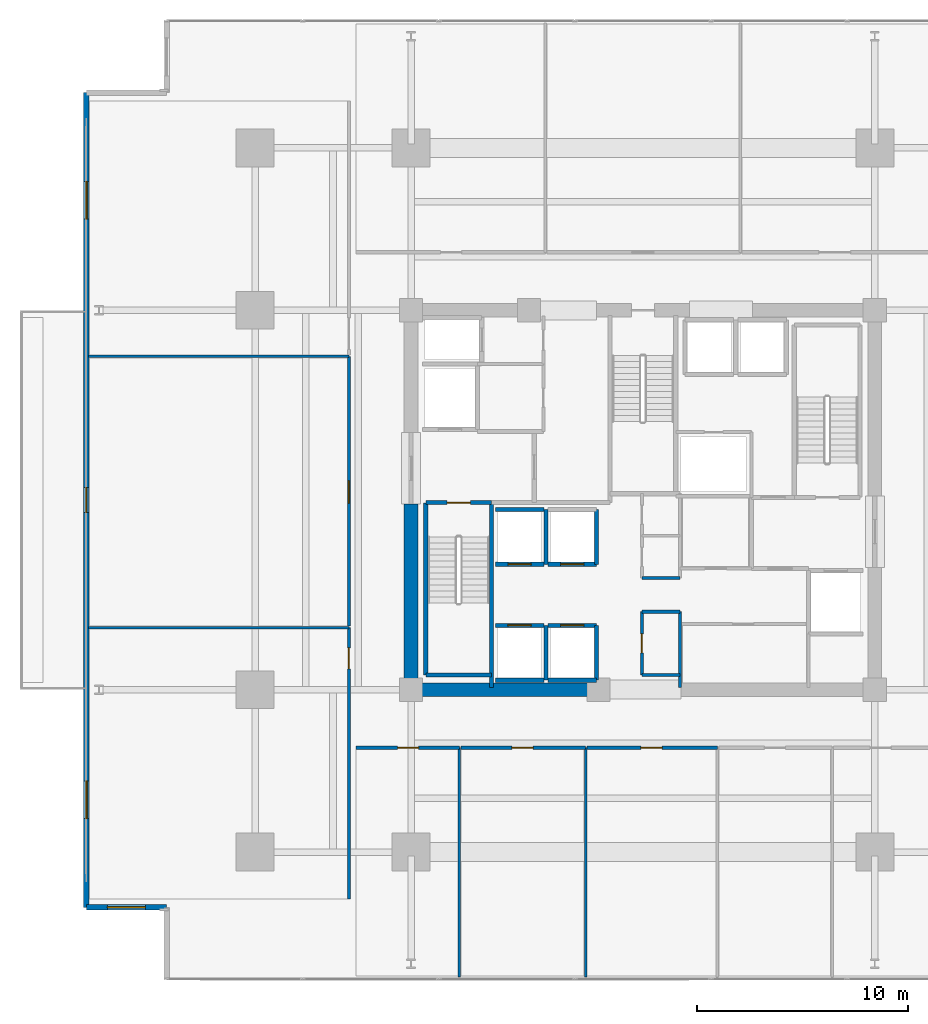
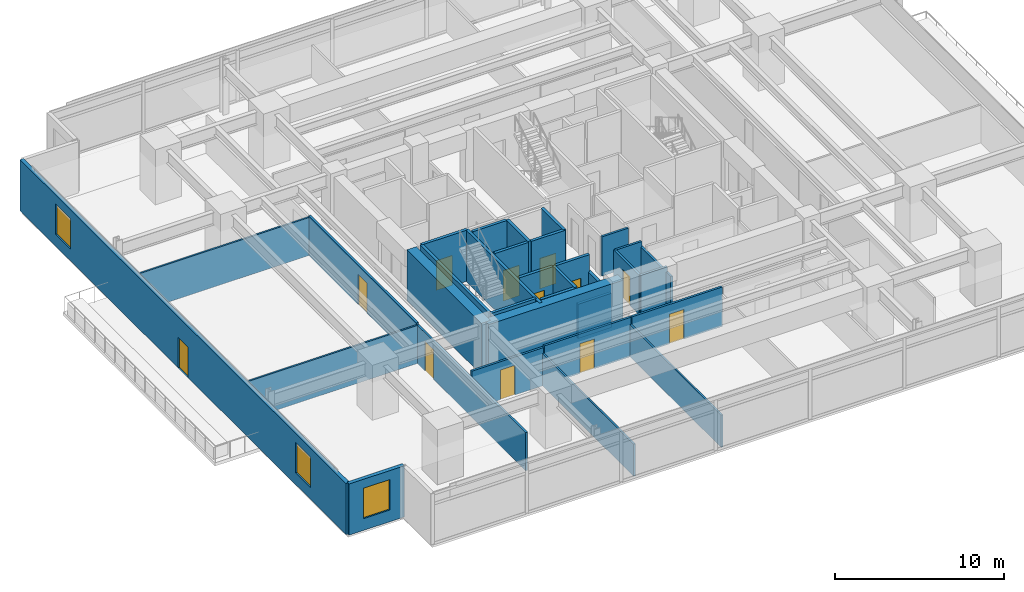
# One storey, part 16 of 23: 33 walls, 12 doors, 3 windows, 15 openings.
"""IFC4 building model written with IfcOpenShell, lengths in metres."""

from ifc_helpers import new_model, si_unit, direction, frame, frame_2d, origin, place, context, subcontext, project, spatial, rectangle, extrude, material, layer, layer_set, type_object, element, fill, save


model = new_model("IFC4")

# Units and contexts
model_context = context("Model", 3, precision=1e-05, world=origin(), true_north=direction((0.0, 1.0)))
body_context = subcontext(model_context, "Body", "Model", "MODEL_VIEW")
ifc_project = project(units=[si_unit("LENGTHUNIT", "METRE"), si_unit("AREAUNIT", "SQUARE_METRE"), si_unit("VOLUMEUNIT", "CUBIC_METRE"), si_unit("PLANEANGLEUNIT", "RADIAN"), si_unit("MASSUNIT", "GRAM", prefix="KILO")], contexts=[model_context])

# Site, building, storey
site_placement = place(None, origin())
site = spatial("IfcSite", under=ifc_project, at=site_placement, CompositionType="ELEMENT")
building_placement = place(site_placement, origin())
building = spatial("IfcBuilding", under=site, at=building_placement, Name="Kovane Verandah Tower", CompositionType="ELEMENT")
storey_placement = place(building_placement, frame((0.0, 0.0, 103.60009765625)))
storey = spatial("IfcBuildingStorey", under=building, at=storey_placement, Name="L24", CompositionType="ELEMENT", Elevation=103.60009765625)

# Walls
ifc_material_1 = material(Name="Fire-Rated Gypsum Stud Partition", Category="gypsum")
ifc_layer_1 = layer(ifc_material_1, 0.14990234375)
ifc_layer_set_1 = layer_set([ifc_layer_1], Name="Fire-Rated Gypsum Stud Partition")
wall_type_1 = type_object("IfcWallType", Name="WL-COR-150", PredefinedType="PARTITIONING", material=ifc_layer_set_1)
for number, where, z_axis, x_axis, name in (
    (1, (39.949951171875, 19.199951171875, 0.0), (0.0, 0.0, 1.0), (1.0, 0.0, 0.0), "L24 Central Core Strip South Wall"),
    (2, (39.949951171875, 22.199951171875, 0.0), (0.0, 0.0, 1.0), (1.0, 0.0, 0.0), "L24 Core Cross-Passage South Wall"),
    (3, (39.949951171875, 23.800048828125, 0.0), (0.0, 0.0, 1.0), (1.0, 0.0, 0.0), "L24 Core Cross-Passage North Wall"),
):
    element("IfcWall", number, at=place(storey_placement, frame(where, z_axis=z_axis, x_axis=x_axis)), inside=storey, type_object=wall_type_1, Name=name, PredefinedType="PARTITIONING", context=body_context, shape_type="SweptSolid", body=[
        extrude(rectangle(XDim=1.81005859375, YDim=0.14990234375, at=frame_2d((0.905029296875, 0.0))), origin(), (0.0, 0.0, 1.0), 2.849853515625),
    ])
wall_1_placement = place(storey_placement, frame((41.760009765625, 18.60009765625, 0.0), z_axis=(0.0, 0.0, 1.0), x_axis=(0.0, 1.0, 0.0)))
element("IfcWall", 4, at=wall_1_placement, inside=storey, type_object=wall_type_1, Name="L24 Central Core Strip Lower East Wall", PredefinedType="PARTITIONING", context=body_context, shape_type="SweptSolid", body=[
    extrude(rectangle(XDim=3.599853515625, YDim=0.14990234375, at=frame_2d((1.7998046875, 0.0))), origin(), (0.0, 0.0, 1.0), 2.47998046875),
])

# Wall, opening, door
wall_2_placement = place(storey_placement, frame((39.949951171875, 19.199951171875, 0.0), z_axis=(0.0, 0.0, 1.0), x_axis=(0.0, 1.0, 0.0)))
wall_2 = element("IfcWall", 5, at=wall_2_placement, inside=storey, type_object=wall_type_1, Name="L24 Male Toilet Partition", PredefinedType="PARTITIONING", context=body_context, shape_type="SweptSolid", body=[
    extrude(rectangle(XDim=3.0, YDim=0.14990234375, at=frame_2d((1.5, 0.0))), origin(), (0.0, 0.0, 1.0), 2.849853515625),
])
opening_1_placement = place(wall_2_placement, frame((1.050048828125, 0.0, 0.0)))
opening_1 = element("IfcOpeningElement", 6, at=opening_1_placement, cuts=wall_2, Name="Opening DR-L24-028", PredefinedType="OPENING", context=body_context, shape_type="SweptSolid", body=[
    extrude(rectangle(XDim=0.89990234375, YDim=2.10009765625, at=frame_2d((0.449951171875, 1.050048828125))), frame((0.0, 0.074951171875, 0.0), z_axis=(0.0, -1.0, 0.0), x_axis=(1.0, 0.0, 0.0)), (0.0, 0.0, 1.0), 0.14990234375),
])
ifc_material_2 = material(Name="Moisture-Resistant Laminate Washroom Door", Category="wood")
door_type_1 = type_object("IfcDoorType", Name="DR-WC-900", OperationType="SINGLE_SWING_LEFT", PredefinedType="DOOR", material=ifc_material_2)
door_1_placement = place(opening_1_placement, origin())
door_1 = element("IfcDoor", 7, at=door_1_placement, inside=storey, type_object=door_type_1, Name="L24 Male Toilet Door", OperationType="SINGLE_SWING_LEFT", OverallHeight=2.10009765625, OverallWidth=0.89990234375, PredefinedType="DOOR", context=body_context, shape_type="SweptSolid", body=[
    extrude(rectangle(XDim=0.89990234375, YDim=2.10009765625, at=frame_2d((0.449951171875, 1.050048828125))), frame((0.0, 0.02490234375, 0.0), z_axis=(0.0, -1.0, 0.0), x_axis=(1.0, 0.0, 0.0)), (0.0, 0.0, 1.0), 0.050048828125),
])
fill(opening_1, door_1)

wall_3_placement = place(storey_placement, frame((26.39990234375, 15.75, 0.0), z_axis=(0.0, 0.0, 1.0), x_axis=(1.0, 0.0, 0.0)))
wall_3 = element("IfcWall", 8, at=wall_3_placement, inside=storey, type_object=wall_type_1, Name="L24 Meeting Room S1 Corridor Partition", PredefinedType="PARTITIONING", context=body_context, shape_type="SweptSolid", body=[
    extrude(rectangle(XDim=4.89599609375, YDim=0.14990234375, at=frame_2d((2.447998046875, 0.0))), origin(), (0.0, 0.0, 1.0), 2.75341796875),
])
opening_2_placement = place(wall_3_placement, frame((1.962890625, 0.0, 0.0)))
opening_2 = element("IfcOpeningElement", 9, at=opening_2_placement, cuts=wall_3, Name="Opening DR-L24-020", PredefinedType="OPENING", context=body_context, shape_type="SweptSolid", body=[
    extrude(rectangle(XDim=1.0, YDim=2.14990234375, at=frame_2d((0.5, 1.074951171875))), frame((0.0, 0.074951171875, 0.0), z_axis=(0.0, -1.0, 0.0), x_axis=(1.0, 0.0, 0.0)), (0.0, 0.0, 1.0), 0.14990234375),
])
ifc_material_3 = material(Name="FSC Spotted-Gum Timber Fire-Rated Office Door", Category="wood")
door_type_2 = type_object("IfcDoorType", Name="DR-OFF-1000", OperationType="SINGLE_SWING_LEFT", PredefinedType="DOOR", material=ifc_material_3)
door_2_placement = place(opening_2_placement, origin())
door_2 = element("IfcDoor", 10, at=door_2_placement, inside=storey, type_object=door_type_2, Name="L24 Meeting Room S1 Entrance Door", OperationType="SINGLE_SWING_RIGHT", OverallHeight=2.14990234375, OverallWidth=1.0, PredefinedType="DOOR", context=body_context, shape_type="SweptSolid", body=[
    extrude(rectangle(XDim=1.0, YDim=2.14990234375, at=frame_2d((0.5, 1.074951171875))), frame((0.0, 0.02490234375, 0.0), z_axis=(0.0, -1.0, 0.0), x_axis=(1.0, 0.0, 0.0)), (0.0, 0.0, 1.0), 0.050048828125),
])
fill(opening_2, door_2)

wall_4_placement = place(storey_placement, frame((31.365966796875, 15.75, 0.0), z_axis=(0.0, 0.0, 1.0), x_axis=(1.0, 0.0, 0.0)))
wall_4 = element("IfcWall", 11, at=wall_4_placement, inside=storey, type_object=wall_type_1, Name="L24 Focus Studio S2 Corridor Partition", PredefinedType="PARTITIONING", context=body_context, shape_type="SweptSolid", body=[
    extrude(rectangle(XDim=5.9140625, YDim=0.14990234375, at=frame_2d((2.95703125, 0.0))), origin(), (0.0, 0.0, 1.0), 2.849853515625),
])
opening_3_placement = place(wall_4_placement, frame((2.422119140625, 0.0, 0.0)))
opening_3 = element("IfcOpeningElement", 12, at=opening_3_placement, cuts=wall_4, Name="Opening DR-L24-021", PredefinedType="OPENING", context=body_context, shape_type="SweptSolid", body=[
    extrude(rectangle(XDim=1.0, YDim=2.14990234375, at=frame_2d((0.5, 1.074951171875))), frame((0.0, 0.074951171875, 0.0), z_axis=(0.0, -1.0, 0.0), x_axis=(1.0, 0.0, 0.0)), (0.0, 0.0, 1.0), 0.14990234375),
])
door_3_placement = place(opening_3_placement, origin())
door_3 = element("IfcDoor", 13, at=door_3_placement, inside=storey, type_object=door_type_2, Name="L24 Focus Studio S2 Entrance Door", OperationType="SINGLE_SWING_LEFT", OverallHeight=2.14990234375, OverallWidth=1.0, PredefinedType="DOOR", context=body_context, shape_type="SweptSolid", body=[
    extrude(rectangle(XDim=1.0, YDim=2.14990234375, at=frame_2d((0.5, 1.074951171875))), frame((0.0, 0.02490234375, 0.0), z_axis=(0.0, -1.0, 0.0), x_axis=(1.0, 0.0, 0.0)), (0.0, 0.0, 1.0), 0.050048828125),
])
fill(opening_3, door_3)

wall_5_placement = place(storey_placement, frame((37.35009765625, 15.75, 0.0), z_axis=(0.0, 0.0, 1.0), x_axis=(1.0, 0.0, 0.0)))
wall_5 = element("IfcWall", 14, at=wall_5_placement, inside=storey, type_object=wall_type_1, Name="L24 Breakout Pantry S3 Corridor Partition", PredefinedType="PARTITIONING", context=body_context, shape_type="SweptSolid", body=[
    extrude(rectangle(XDim=6.185791015625, YDim=0.14990234375, at=frame_2d((3.0927734375, 0.0))), origin(), (0.0, 0.0, 1.0), 2.849853515625),
])
opening_4_placement = place(wall_5_placement, frame((2.55810546875, 0.0, 0.0)))
opening_4 = element("IfcOpeningElement", 15, at=opening_4_placement, cuts=wall_5, Name="Opening DR-L24-022", PredefinedType="OPENING", context=body_context, shape_type="SweptSolid", body=[
    extrude(rectangle(XDim=1.0, YDim=2.14990234375, at=frame_2d((0.5, 1.074951171875))), frame((0.0, 0.074951171875, 0.0), z_axis=(0.0, -1.0, 0.0), x_axis=(1.0, 0.0, 0.0)), (0.0, 0.0, 1.0), 0.14990234375),
])
door_4_placement = place(opening_4_placement, origin())
door_4 = element("IfcDoor", 16, at=door_4_placement, inside=storey, type_object=door_type_2, Name="L24 Breakout Pantry S3 Entrance Door", OperationType="SINGLE_SWING_RIGHT", OverallHeight=2.14990234375, OverallWidth=1.0, PredefinedType="DOOR", context=body_context, shape_type="SweptSolid", body=[
    extrude(rectangle(XDim=1.0, YDim=2.14990234375, at=frame_2d((0.5, 1.074951171875))), frame((0.0, 0.02490234375, 0.0), z_axis=(0.0, -1.0, 0.0), x_axis=(1.0, 0.0, 0.0)), (0.0, 0.0, 1.0), 0.050048828125),
])
fill(opening_4, door_4)

wall_6_placement = place(storey_placement, frame((26.050048828125, 8.5810546875, 0.0), z_axis=(0.0, 0.0, 1.0), x_axis=(0.0, 1.0, 0.0)))
wall_6 = element("IfcWall", 17, at=wall_6_placement, inside=storey, type_object=wall_type_1, Name="L24 Open Plan Office W1 Corridor Partition", PredefinedType="PARTITIONING", context=body_context, shape_type="SweptSolid", body=[
    extrude(rectangle(XDim=12.86474609375, YDim=0.14990234375, at=frame_2d((6.432373046875, 0.0))), origin(), (0.0, 0.0, 1.0), 2.75341796875),
])
opening_5_placement = place(wall_6_placement, frame((10.906982421875, 0.0, 0.0)))
opening_5 = element("IfcOpeningElement", 18, at=opening_5_placement, cuts=wall_6, Name="Opening DR-L24-029", PredefinedType="OPENING", context=body_context, shape_type="SweptSolid", body=[
    extrude(rectangle(XDim=1.0, YDim=2.14990234375, at=frame_2d((0.5, 1.074951171875))), frame((0.0, 0.074951171875, 0.0), z_axis=(0.0, -1.0, 0.0), x_axis=(1.0, 0.0, 0.0)), (0.0, 0.0, 1.0), 0.14990234375),
])
door_5_placement = place(opening_5_placement, origin())
door_5 = element("IfcDoor", 19, at=door_5_placement, inside=storey, type_object=door_type_2, Name="L24 Open Plan Office W1 Entrance Door", OperationType="SINGLE_SWING_LEFT", OverallHeight=2.14990234375, OverallWidth=1.0, PredefinedType="DOOR", context=body_context, shape_type="SweptSolid", body=[
    extrude(rectangle(XDim=1.0, YDim=2.14990234375, at=frame_2d((0.5, 1.074951171875))), frame((0.0, 0.02490234375, 0.0), z_axis=(0.0, -1.0, 0.0), x_axis=(1.0, 0.0, 0.0)), (0.0, 0.0, 1.0), 0.050048828125),
])
fill(opening_5, door_5)

wall_7_placement = place(storey_placement, frame((26.050048828125, 21.515869140625, 0.0), z_axis=(0.0, 0.0, 1.0), x_axis=(0.0, 1.0, 0.0)))
wall_7 = element("IfcWall", 20, at=wall_7_placement, inside=storey, type_object=wall_type_1, Name="L24 Executive Office W2 Corridor Partition", PredefinedType="PARTITIONING", context=body_context, shape_type="SweptSolid", body=[
    extrude(rectangle(XDim=12.794921875, YDim=0.14990234375, at=frame_2d((6.3974609375, 0.0))), origin(), (0.0, 0.0, 1.0), 2.849853515625),
])
opening_6_placement = place(wall_7_placement, frame((5.83740234375, 0.0, 0.0)))
opening_6 = element("IfcOpeningElement", 21, at=opening_6_placement, cuts=wall_7, Name="Opening DR-L24-030", PredefinedType="OPENING", context=body_context, shape_type="SweptSolid", body=[
    extrude(rectangle(XDim=1.050048828125, YDim=2.199951171875, at=frame_2d((0.52490234375, 1.10009765625))), frame((0.0, 0.074951171875, 0.0), z_axis=(0.0, -1.0, 0.0), x_axis=(1.0, 0.0, 0.0)), (0.0, 0.0, 1.0), 0.14990234375),
])
ifc_material_4 = material(Name="FSC Blackbutt Timber Fire-Rated Executive Door", Category="wood")
door_type_3 = type_object("IfcDoorType", Name="DR-EXEC-1050", OperationType="SINGLE_SWING_LEFT", PredefinedType="DOOR", material=ifc_material_4)
door_6_placement = place(opening_6_placement, origin())
door_6 = element("IfcDoor", 22, at=door_6_placement, inside=storey, type_object=door_type_3, Name="L24 Executive Office W2 Entrance Door", OperationType="SINGLE_SWING_RIGHT", OverallHeight=2.199951171875, OverallWidth=1.050048828125, PredefinedType="DOOR", context=body_context, shape_type="SweptSolid", body=[
    extrude(rectangle(XDim=1.050048828125, YDim=2.199951171875, at=frame_2d((0.52490234375, 1.10009765625))), frame((0.0, 0.02490234375, 0.0), z_axis=(0.0, -1.0, 0.0), x_axis=(1.0, 0.0, 0.0)), (0.0, 0.0, 1.0), 0.050048828125),
])
fill(opening_6, door_6)

# Walls
ifc_material_5 = material(Name="Concrete C80/95", Category="concrete")
ifc_layer_2 = layer(ifc_material_5, 0.64990234375)
ifc_layer_set_2 = layer_set([ifc_layer_2], Name="Concrete C80/95")
wall_type_2 = type_object("IfcWallType", Name="WL-CORE-650", PredefinedType="SHEAR", material=ifc_layer_set_2)
wall_8_placement = place(storey_placement, frame((29.0, 18.5, 0.0), z_axis=(0.0, 0.0, 1.0), x_axis=(1.0, 0.0, 0.0)))
element("IfcWall", 23, at=wall_8_placement, inside=storey, type_object=wall_type_2, Name="L24 Core Shear Wall CS-1", PredefinedType="SHEAR", context=body_context, shape_type="SweptSolid", body=[
    extrude(rectangle(XDim=9.199951171875, YDim=0.64990234375, at=frame_2d((4.60009765625, 0.0))), origin(), (0.0, 0.0, 1.0), 3.699951171875),
])
wall_9_placement = place(storey_placement, frame((29.0, 18.5, 0.0), z_axis=(0.0, 0.0, 1.0), x_axis=(0.0, 1.0, 0.0)))
element("IfcWall", 24, at=wall_9_placement, inside=storey, type_object=wall_type_2, Name="L24 Core Shear Wall CW-1", PredefinedType="SHEAR", context=body_context, shape_type="SweptSolid", body=[
    extrude(rectangle(XDim=8.800048828125, YDim=0.64990234375, at=frame_2d((4.39990234375, 0.0))), origin(), (0.0, 0.0, 1.0), 3.699951171875),
])
ifc_material_6 = material(Name="Concrete C45/55 Lift Shaft Wall", Category="concrete")
ifc_layer_3 = layer(ifc_material_6, 0.199951171875)
ifc_layer_set_3 = layer_set([ifc_layer_3], Name="Concrete C45/55 Lift Shaft Wall")
wall_type_3 = type_object("IfcWallType", Name="WL-LIFT-200", PredefinedType="SOLIDWALL", material=ifc_layer_set_3)
wall_10_placement = place(storey_placement, frame((33.0, 18.949951171875, 0.0), z_axis=(0.0, 0.0, 1.0), x_axis=(1.0, 0.0, 0.0)))
element("IfcWall", 25, at=wall_10_placement, inside=storey, type_object=wall_type_3, Name="L24 Lift PL-L1 S Shaft Wall", PredefinedType="SOLIDWALL", context=body_context, shape_type="SweptSolid", body=[
    extrude(rectangle(XDim=2.300048828125, YDim=0.199951171875, at=frame_2d((1.14990234375, 0.0))), origin(), (0.0, 0.0, 1.0), 3.699951171875),
])

# Wall, opening, door
wall_11_placement = place(storey_placement, frame((35.300048828125, 21.550048828125, 0.0), z_axis=(0.0, 0.0, 1.0), x_axis=(-1.0, 0.0, 0.0)))
wall_11 = element("IfcWall", 26, at=wall_11_placement, inside=storey, type_object=wall_type_3, Name="L24 Lift PL-L1 N Shaft Wall", PredefinedType="SOLIDWALL", context=body_context, shape_type="SweptSolid", body=[
    extrude(rectangle(XDim=2.300048828125, YDim=0.199951171875, at=frame_2d((1.14990234375, 0.0))), origin(), (0.0, 0.0, 1.0), 3.699951171875),
])
opening_7_placement = place(wall_11_placement, frame((0.60009765625, 0.0, 0.0)))
opening_7 = element("IfcOpeningElement", 27, at=opening_7_placement, cuts=wall_11, Name="Opening LD-L24-004", PredefinedType="OPENING", context=body_context, shape_type="SweptSolid", body=[
    extrude(rectangle(XDim=1.10009765625, YDim=2.199951171875, at=frame_2d((0.550048828125, 1.10009765625))), frame((0.0, 0.10009765625, 0.0), z_axis=(0.0, -1.0, 0.0), x_axis=(1.0, 0.0, 0.0)), (0.0, 0.0, 1.0), 0.199951171875),
])
ifc_material_7 = material(Name="Brushed Stainless Steel Sliding Lift Landing Door", Category="steel")
door_type_4 = type_object("IfcDoorType", Name="DR-LIFT-1100", OperationType="SLIDING_TO_RIGHT", PredefinedType="DOOR", material=ifc_material_7)
door_7_placement = place(opening_7_placement, origin())
door_7 = element("IfcDoor", 28, at=door_7_placement, inside=storey, type_object=door_type_4, Name="L24 Lift PL-L1 Sliding Landing Door", OperationType="SLIDING_TO_RIGHT", OverallHeight=2.199951171875, OverallWidth=1.10009765625, PredefinedType="DOOR", context=body_context, shape_type="SweptSolid", body=[
    extrude(rectangle(XDim=1.10009765625, YDim=2.199951171875, at=frame_2d((0.550048828125, 1.10009765625))), frame((0.0, 0.02490234375, 0.0), z_axis=(0.0, -1.0, 0.0), x_axis=(1.0, 0.0, 0.0)), (0.0, 0.0, 1.0), 0.050048828125),
])
fill(opening_7, door_7)

# Walls
wall_12_placement = place(storey_placement, frame((35.39990234375, 18.949951171875, 0.0), z_axis=(0.0, 0.0, 1.0), x_axis=(0.0, 1.0, 0.0)))
element("IfcWall", 29, at=wall_12_placement, inside=storey, type_object=wall_type_3, Name="L24 Lift PL-L1 and PL-L2 Shared Shaft Wall", PredefinedType="SOLIDWALL", context=body_context, shape_type="SweptSolid", body=[
    extrude(rectangle(XDim=2.60009765625, YDim=0.199951171875, at=frame_2d((1.300048828125, 0.0))), origin(), (0.0, 0.0, 1.0), 3.699951171875),
])
wall_13_placement = place(storey_placement, frame((35.5, 18.949951171875, 0.0), z_axis=(0.0, 0.0, 1.0), x_axis=(1.0, 0.0, 0.0)))
element("IfcWall", 30, at=wall_13_placement, inside=storey, type_object=wall_type_3, Name="L24 Lift PL-L2 S Shaft Wall", PredefinedType="SOLIDWALL", context=body_context, shape_type="SweptSolid", body=[
    extrude(rectangle(XDim=2.300048828125, YDim=0.199951171875, at=frame_2d((1.14990234375, 0.0))), origin(), (0.0, 0.0, 1.0), 2.47998046875),
])

# Wall, opening, door
wall_14_placement = place(storey_placement, frame((37.800048828125, 21.550048828125, 0.0), z_axis=(0.0, 0.0, 1.0), x_axis=(-1.0, 0.0, 0.0)))
wall_14 = element("IfcWall", 31, at=wall_14_placement, inside=storey, type_object=wall_type_3, Name="L24 Lift PL-L2 N Shaft Wall", PredefinedType="SOLIDWALL", context=body_context, shape_type="SweptSolid", body=[
    extrude(rectangle(XDim=2.300048828125, YDim=0.199951171875, at=frame_2d((1.14990234375, 0.0))), origin(), (0.0, 0.0, 1.0), 3.699951171875),
])
opening_8_placement = place(wall_14_placement, frame((0.60009765625, 0.0, 0.0)))
opening_8 = element("IfcOpeningElement", 32, at=opening_8_placement, cuts=wall_14, Name="Opening LD-L24-005", PredefinedType="OPENING", context=body_context, shape_type="SweptSolid", body=[
    extrude(rectangle(XDim=1.10009765625, YDim=2.199951171875, at=frame_2d((0.550048828125, 1.10009765625))), frame((0.0, 0.10009765625, 0.0), z_axis=(0.0, -1.0, 0.0), x_axis=(1.0, 0.0, 0.0)), (0.0, 0.0, 1.0), 0.199951171875),
])
door_8_placement = place(opening_8_placement, origin())
door_8 = element("IfcDoor", 33, at=door_8_placement, inside=storey, type_object=door_type_4, Name="L24 Lift PL-L2 Sliding Landing Door", OperationType="SLIDING_TO_RIGHT", OverallHeight=2.199951171875, OverallWidth=1.10009765625, PredefinedType="DOOR", context=body_context, shape_type="SweptSolid", body=[
    extrude(rectangle(XDim=1.10009765625, YDim=2.199951171875, at=frame_2d((0.550048828125, 1.10009765625))), frame((0.0, 0.02490234375, 0.0), z_axis=(0.0, -1.0, 0.0), x_axis=(1.0, 0.0, 0.0)), (0.0, 0.0, 1.0), 0.050048828125),
])
fill(opening_8, door_8)

# Wall
wall_15_placement = place(storey_placement, frame((37.800048828125, 18.949951171875, 0.0), z_axis=(0.0, 0.0, 1.0), x_axis=(0.0, 1.0, 0.0)))
element("IfcWall", 34, at=wall_15_placement, inside=storey, type_object=wall_type_3, Name="L24 Lift PL-L2 E Shaft Wall", PredefinedType="SOLIDWALL", context=body_context, shape_type="SweptSolid", body=[
    extrude(rectangle(XDim=2.60009765625, YDim=0.199951171875, at=frame_2d((1.300048828125, 0.0))), origin(), (0.0, 0.0, 1.0), 2.47998046875),
])

# Wall, opening, door
wall_16_placement = place(storey_placement, frame((33.0, 24.449951171875, 0.0), z_axis=(0.0, 0.0, 1.0), x_axis=(1.0, 0.0, 0.0)))
wall_16 = element("IfcWall", 35, at=wall_16_placement, inside=storey, type_object=wall_type_3, Name="L24 Lift PL-L3 S Shaft Wall", PredefinedType="SOLIDWALL", context=body_context, shape_type="SweptSolid", body=[
    extrude(rectangle(XDim=2.300048828125, YDim=0.199951171875, at=frame_2d((1.14990234375, 0.0))), origin(), (0.0, 0.0, 1.0), 3.699951171875),
])
opening_9_placement = place(wall_16_placement, frame((0.60009765625, 0.0, 0.0)))
opening_9 = element("IfcOpeningElement", 36, at=opening_9_placement, cuts=wall_16, Name="Opening LD-L24-006", PredefinedType="OPENING", context=body_context, shape_type="SweptSolid", body=[
    extrude(rectangle(XDim=1.10009765625, YDim=2.199951171875, at=frame_2d((0.550048828125, 1.10009765625))), frame((0.0, 0.10009765625, 0.0), z_axis=(0.0, -1.0, 0.0), x_axis=(1.0, 0.0, 0.0)), (0.0, 0.0, 1.0), 0.199951171875),
])
door_9_placement = place(opening_9_placement, origin())
door_9 = element("IfcDoor", 37, at=door_9_placement, inside=storey, type_object=door_type_4, Name="L24 Lift PL-L3 Sliding Landing Door", OperationType="SLIDING_TO_RIGHT", OverallHeight=2.199951171875, OverallWidth=1.10009765625, PredefinedType="DOOR", context=body_context, shape_type="SweptSolid", body=[
    extrude(rectangle(XDim=1.10009765625, YDim=2.199951171875, at=frame_2d((0.550048828125, 1.10009765625))), frame((0.0, 0.02490234375, 0.0), z_axis=(0.0, -1.0, 0.0), x_axis=(1.0, 0.0, 0.0)), (0.0, 0.0, 1.0), 0.050048828125),
])
fill(opening_9, door_9)

# Walls
wall_17_placement = place(storey_placement, frame((35.300048828125, 27.050048828125, 0.0), z_axis=(0.0, 0.0, 1.0), x_axis=(-1.0, 0.0, 0.0)))
element("IfcWall", 38, at=wall_17_placement, inside=storey, type_object=wall_type_3, Name="L24 Lift PL-L3 N Shaft Wall", PredefinedType="SOLIDWALL", context=body_context, shape_type="SweptSolid", body=[
    extrude(rectangle(XDim=2.300048828125, YDim=0.199951171875, at=frame_2d((1.14990234375, 0.0))), origin(), (0.0, 0.0, 1.0), 3.699951171875),
])
wall_18_placement = place(storey_placement, frame((35.39990234375, 24.449951171875, 0.0), z_axis=(0.0, 0.0, 1.0), x_axis=(0.0, 1.0, 0.0)))
element("IfcWall", 39, at=wall_18_placement, inside=storey, type_object=wall_type_3, Name="L24 Lift PL-L3 and PL-L4 Shared Shaft Wall", PredefinedType="SOLIDWALL", context=body_context, shape_type="SweptSolid", body=[
    extrude(rectangle(XDim=2.60009765625, YDim=0.199951171875, at=frame_2d((1.300048828125, 0.0))), origin(), (0.0, 0.0, 1.0), 3.699951171875),
])

# Wall, opening, door
wall_19_placement = place(storey_placement, frame((35.5, 24.449951171875, 0.0), z_axis=(0.0, 0.0, 1.0), x_axis=(1.0, 0.0, 0.0)))
wall_19 = element("IfcWall", 40, at=wall_19_placement, inside=storey, type_object=wall_type_3, Name="L24 Lift PL-L4 S Shaft Wall", PredefinedType="SOLIDWALL", context=body_context, shape_type="SweptSolid", body=[
    extrude(rectangle(XDim=2.300048828125, YDim=0.199951171875, at=frame_2d((1.14990234375, 0.0))), origin(), (0.0, 0.0, 1.0), 3.699951171875),
])
opening_10_placement = place(wall_19_placement, frame((0.60009765625, 0.0, 0.0)))
opening_10 = element("IfcOpeningElement", 41, at=opening_10_placement, cuts=wall_19, Name="Opening LD-L24-007", PredefinedType="OPENING", context=body_context, shape_type="SweptSolid", body=[
    extrude(rectangle(XDim=1.10009765625, YDim=2.199951171875, at=frame_2d((0.550048828125, 1.10009765625))), frame((0.0, 0.10009765625, 0.0), z_axis=(0.0, -1.0, 0.0), x_axis=(1.0, 0.0, 0.0)), (0.0, 0.0, 1.0), 0.199951171875),
])
door_10_placement = place(opening_10_placement, origin())
door_10 = element("IfcDoor", 42, at=door_10_placement, inside=storey, type_object=door_type_4, Name="L24 Lift PL-L4 Sliding Landing Door", OperationType="SLIDING_TO_RIGHT", OverallHeight=2.199951171875, OverallWidth=1.10009765625, PredefinedType="DOOR", context=body_context, shape_type="SweptSolid", body=[
    extrude(rectangle(XDim=1.10009765625, YDim=2.199951171875, at=frame_2d((0.550048828125, 1.10009765625))), frame((0.0, 0.02490234375, 0.0), z_axis=(0.0, -1.0, 0.0), x_axis=(1.0, 0.0, 0.0)), (0.0, 0.0, 1.0), 0.050048828125),
])
fill(opening_10, door_10)

# Walls
wall_20_placement = place(storey_placement, frame((37.800048828125, 24.449951171875, 0.0), z_axis=(0.0, 0.0, 1.0), x_axis=(0.0, 1.0, 0.0)))
element("IfcWall", 43, at=wall_20_placement, inside=storey, type_object=wall_type_3, Name="L24 Lift PL-L4 E Shaft Wall", PredefinedType="SOLIDWALL", context=body_context, shape_type="SweptSolid", body=[
    extrude(rectangle(XDim=2.60009765625, YDim=0.199951171875, at=frame_2d((1.300048828125, 0.0))), origin(), (0.0, 0.0, 1.0), 3.699951171875),
])
ifc_material_8 = material(Name="Acoustic Fire-Rated Gypsum Partition", Category="gypsum")
ifc_layer_4 = layer(ifc_material_8, 0.1201171875)
ifc_layer_set_4 = layer_set([ifc_layer_4], Name="Acoustic Fire-Rated Gypsum Partition")
wall_type_4 = type_object("IfcWallType", Name="WL-PART-120", PredefinedType="PARTITIONING", material=ifc_layer_set_4)
for number, where, z_axis, x_axis, name in (
    (44, (31.2958984375, 4.881103515625, 0.0), (0.0, 0.0, 1.0), (0.0, 1.0, 0.0), "L24 Meeting Room S1 Dividing Partition"),
    (45, (37.280029296875, 4.881103515625, 0.0), (0.0, 0.0, 1.0), (0.0, 1.0, 0.0), "L24 Focus Studio S2 Dividing Partition"),
):
    element("IfcWall", number, at=place(storey_placement, frame(where, z_axis=z_axis, x_axis=x_axis)), inside=storey, type_object=wall_type_4, Name=name, PredefinedType="PARTITIONING", context=body_context, shape_type="SweptSolid", body=[
        extrude(rectangle(XDim=10.868896484375, YDim=0.1201171875, at=frame_2d((5.4345703125, 0.0))), origin(), (0.0, 0.0, 1.0), 2.329833984375),
    ])
for number, where, z_axis, x_axis, name in (
    (46, (13.701416015625, 21.44580078125, 0.0), (0.0, 0.0, 1.0), (1.0, 0.0, 0.0), "L24 Open Plan Office W1 Dividing Partition"),
    (47, (13.701416015625, 34.310791015625, 0.0), (0.0, 0.0, 1.0), (1.0, 0.0, 0.0), "L24 Executive Office W2 Dividing Partition"),
):
    element("IfcWall", number, at=place(storey_placement, frame(where, z_axis=z_axis, x_axis=x_axis)), inside=storey, type_object=wall_type_4, Name=name, PredefinedType="PARTITIONING", context=body_context, shape_type="SweptSolid", body=[
        extrude(rectangle(XDim=12.3486328125, YDim=0.1201171875, at=frame_2d((6.17431640625, 0.0))), origin(), (0.0, 0.0, 1.0), 2.75341796875),
    ])
ifc_material_9 = material(Name="Concrete C45/55", Category="concrete")
ifc_layer_5 = layer(ifc_material_9, 0.199951171875)
ifc_layer_set_5 = layer_set([ifc_layer_5], Name="Concrete C45/55")
wall_type_5 = type_object("IfcWallType", Name="WL-SHAFT-200", PredefinedType="SOLIDWALL", material=ifc_layer_set_5)
wall_21_placement = place(storey_placement, frame((29.699951171875, 19.199951171875, 0.0), z_axis=(0.0, 0.0, 1.0), x_axis=(0.0, 1.0, 0.0)))
element("IfcWall", 48, at=wall_21_placement, inside=storey, type_object=wall_type_5, Name="W-L24-ST01-W", PredefinedType="SOLIDWALL", context=body_context, shape_type="SweptSolid", body=[
    extrude(rectangle(XDim=8.150146484375, YDim=0.199951171875, at=frame_2d((4.0751953125, 0.0))), origin(), (0.0, 0.0, 1.0), 3.699951171875),
])
wall_22_placement = place(storey_placement, frame((29.699951171875, 19.199951171875, 0.0), z_axis=(0.0, 0.0, 1.0), x_axis=(1.0, 0.0, 0.0)))
element("IfcWall", 49, at=wall_22_placement, inside=storey, type_object=wall_type_5, Name="W-L24-ST01-S", PredefinedType="SOLIDWALL", context=body_context, shape_type="SweptSolid", body=[
    extrude(rectangle(XDim=3.1201171875, YDim=0.199951171875, at=frame_2d((1.56005859375, 0.0))), origin(), (0.0, 0.0, 1.0), 3.699951171875),
])
wall_23_placement = place(storey_placement, frame((32.820068359375, 18.60009765625, 0.0), z_axis=(0.0, 0.0, 1.0), x_axis=(0.0, 1.0, 0.0)))
element("IfcWall", 50, at=wall_23_placement, inside=storey, type_object=wall_type_5, Name="W-L24-ST01-E", PredefinedType="SOLIDWALL", context=body_context, shape_type="SweptSolid", body=[
    extrude(rectangle(XDim=8.77978515625, YDim=0.199951171875, at=frame_2d((4.389892578125, 0.0))), origin(), (0.0, 0.0, 1.0), 3.699951171875),
])

# Wall, opening, door
wall_24_placement = place(storey_placement, frame((29.699951171875, 27.3798828125, 0.0), z_axis=(0.0, 0.0, 1.0), x_axis=(1.0, 0.0, 0.0)))
wall_24 = element("IfcWall", 51, at=wall_24_placement, inside=storey, type_object=wall_type_5, Name="W-L24-ST01-N", PredefinedType="SOLIDWALL", context=body_context, shape_type="SweptSolid", body=[
    extrude(rectangle(XDim=3.1201171875, YDim=0.199951171875, at=frame_2d((1.56005859375, 0.0))), origin(), (0.0, 0.0, 1.0), 3.699951171875),
])
opening_11_placement = place(wall_24_placement, frame((1.010009765625, 0.0, 0.0)))
opening_11 = element("IfcOpeningElement", 52, at=opening_11_placement, cuts=wall_24, Name="Opening DR-L24-009", PredefinedType="OPENING", context=body_context, shape_type="SweptSolid", body=[
    extrude(rectangle(XDim=1.10009765625, YDim=2.14990234375, at=frame_2d((0.550048828125, 1.074951171875))), frame((0.0, 0.10009765625, 0.0), z_axis=(0.0, -1.0, 0.0), x_axis=(1.0, 0.0, 0.0)), (0.0, 0.0, 1.0), 0.199951171875),
])
ifc_material_10 = material(Name="Fire-Rated Steel Exit Door", Category="steel")
door_type_5 = type_object("IfcDoorType", Name="DR-STAIR-1100", OperationType="SINGLE_SWING_LEFT", PredefinedType="DOOR", material=ifc_material_10)
door_11_placement = place(opening_11_placement, origin())
door_11 = element("IfcDoor", 53, at=door_11_placement, inside=storey, type_object=door_type_5, Name="L24 ST-01 Fire Exit Stair Door", OperationType="SINGLE_SWING_RIGHT", OverallHeight=2.14990234375, OverallWidth=1.10009765625, PredefinedType="DOOR", context=body_context, shape_type="SweptSolid", body=[
    extrude(rectangle(XDim=1.10009765625, YDim=2.14990234375, at=frame_2d((0.550048828125, 1.074951171875))), frame((0.0, 0.02490234375, 0.0), z_axis=(0.0, -1.0, 0.0), x_axis=(1.0, 0.0, 0.0)), (0.0, 0.0, 1.0), 0.050048828125),
])
fill(opening_11, door_11)

# Wall, openings, door, windows
ifc_material_11 = material(Name="Concrete C45/55 Insulated Spandrel Wall", Category="concrete")
ifc_layer_6 = layer(ifc_material_11, 0.260009765625)
ifc_layer_set_6 = layer_set([ifc_layer_6], Name="Concrete C45/55 Insulated Spandrel Wall")
wall_type_6 = type_object("IfcWallType", Name="WL-SPANDREL-260", PredefinedType="PARAPET", material=ifc_layer_set_6)
wall_25_placement = place(storey_placement, frame((13.601318359375, 46.819091796875, 0.0), z_axis=(0.0, 0.0, 1.0), x_axis=(0.0, -1.0, 0.0)))
wall_25 = element("IfcWall", 54, at=wall_25_placement, inside=storey, type_object=wall_type_6, Name="L24 W Verandah Access Facade Wall", PredefinedType="PARAPET", context=body_context, shape_type="SweptSolid", body=[
    extrude(rectangle(XDim=38.63818359375, YDim=0.260009765625, at=frame_2d((19.319091796875, 0.0))), origin(), (0.0, 0.0, 1.0), 3.699951171875),
])
opening_12_placement = place(wall_25_placement, frame((4.199951171875, 0.0, 0.85009765625)))
opening_12 = element("IfcOpeningElement", 55, at=opening_12_placement, cuts=wall_25, Name="Opening W-03", PredefinedType="OPENING", context=body_context, shape_type="SweptSolid", body=[
    extrude(rectangle(XDim=1.800048828125, YDim=2.199951171875, at=frame_2d((0.89990234375, 1.10009765625))), frame((0.0, 0.1298828125, 0.0), z_axis=(0.0, -1.0, 0.0), x_axis=(1.0, 0.0, 0.0)), (0.0, 0.0, 1.0), 0.260009765625),
])
opening_13_placement = place(wall_25_placement, frame((18.718994140625, 0.0, 0.0)))
opening_13 = element("IfcOpeningElement", 56, at=opening_13_placement, cuts=wall_25, Name="Opening DR-L24-002", PredefinedType="OPENING", context=body_context, shape_type="SweptSolid", body=[
    extrude(rectangle(XDim=1.199951171875, YDim=2.199951171875, at=frame_2d((0.60009765625, 1.10009765625))), frame((0.0, 0.1298828125, 0.0), z_axis=(0.0, -1.0, 0.0), x_axis=(1.0, 0.0, 0.0)), (0.0, 0.0, 1.0), 0.260009765625),
])
opening_14_placement = place(wall_25_placement, frame((32.637939453125, 0.0, 0.85009765625)))
opening_14 = element("IfcOpeningElement", 57, at=opening_14_placement, cuts=wall_25, Name="Opening W-03", PredefinedType="OPENING", context=body_context, shape_type="SweptSolid", body=[
    extrude(rectangle(XDim=1.800048828125, YDim=2.199951171875, at=frame_2d((0.89990234375, 1.10009765625))), frame((0.0, 0.1298828125, 0.0), z_axis=(0.0, -1.0, 0.0), x_axis=(1.0, 0.0, 0.0)), (0.0, 0.0, 1.0), 0.260009765625),
])
ifc_material_12 = material(Name="Cyclone-Rated Glazed Balcony Leaf Door", Category="aluminium")
door_type_6 = type_object("IfcDoorType", Name="DR-BAL-1200x2200", OperationType="SINGLE_SWING_LEFT", PredefinedType="DOOR", material=ifc_material_12)
door_12_placement = place(opening_13_placement, origin())
door_12 = element("IfcDoor", 58, at=door_12_placement, inside=storey, type_object=door_type_6, Name="L24 W Planted Balcony Access Door", OperationType="SINGLE_SWING_LEFT", OverallHeight=2.199951171875, OverallWidth=1.199951171875, PredefinedType="DOOR", context=body_context, shape_type="SweptSolid", body=[
    extrude(rectangle(XDim=1.199951171875, YDim=2.199951171875, at=frame_2d((0.60009765625, 1.10009765625))), frame((0.0, 0.02490234375, 0.0), z_axis=(0.0, -1.0, 0.0), x_axis=(1.0, 0.0, 0.0)), (0.0, 0.0, 1.0), 0.050048828125),
])
fill(opening_13, door_12)
ifc_material_13 = material(Name="Clear Low-E Laminated Double Glazing in Anodised Frame", Category="glass")
window_type = type_object("IfcWindowType", Name="WN-NOTCH-1800x2200", PartitioningType="SINGLE_PANEL", PredefinedType="WINDOW", material=ifc_material_13)
window_1_placement = place(opening_12_placement, origin())
window_1 = element("IfcWindow", 59, at=window_1_placement, inside=storey, type_object=window_type, Name="L24 W Verandah View Window 1", OverallHeight=2.199951171875, OverallWidth=1.800048828125, PartitioningType="SINGLE_PANEL", PredefinedType="WINDOW", context=body_context, shape_type="SweptSolid", body=[
    extrude(rectangle(XDim=1.800048828125, YDim=2.199951171875, at=frame_2d((0.89990234375, 1.10009765625))), frame((0.0, 0.030029296875, 0.0), z_axis=(0.0, -1.0, 0.0), x_axis=(1.0, 0.0, 0.0)), (0.0, 0.0, 1.0), 0.06005859375),
])
fill(opening_12, window_1)
window_2_placement = place(opening_14_placement, origin())
window_2 = element("IfcWindow", 60, at=window_2_placement, inside=storey, type_object=window_type, Name="L24 W Verandah View Window 2", OverallHeight=2.199951171875, OverallWidth=1.800048828125, PartitioningType="SINGLE_PANEL", PredefinedType="WINDOW", context=body_context, shape_type="SweptSolid", body=[
    extrude(rectangle(XDim=1.800048828125, YDim=2.199951171875, at=frame_2d((0.89990234375, 1.10009765625))), frame((0.0, 0.030029296875, 0.0), z_axis=(0.0, -1.0, 0.0), x_axis=(1.0, 0.0, 0.0)), (0.0, 0.0, 1.0), 0.06005859375),
])
fill(opening_14, window_2)

# Wall, opening, window
wall_26_placement = place(storey_placement, frame((13.601318359375, 8.180908203125, 0.0), z_axis=(0.0, 0.0, 1.0), x_axis=(1.0, 0.0, 0.0)))
wall_26 = element("IfcWall", 61, at=wall_26_placement, inside=storey, type_object=wall_type_6, Name="L24 SW Notch Cheek Wall 1", PredefinedType="PARAPET", context=body_context, shape_type="SweptSolid", body=[
    extrude(rectangle(XDim=3.800048828125, YDim=0.260009765625, at=frame_2d((1.89990234375, 0.0))), origin(), (0.0, 0.0, 1.0), 3.699951171875),
])
opening_15_placement = place(wall_26_placement, frame((1.0, 0.0, 0.85009765625)))
opening_15 = element("IfcOpeningElement", 62, at=opening_15_placement, cuts=wall_26, Name="Opening W-03", PredefinedType="OPENING", context=body_context, shape_type="SweptSolid", body=[
    extrude(rectangle(XDim=1.800048828125, YDim=2.199951171875, at=frame_2d((0.89990234375, 1.10009765625))), frame((0.0, 0.1298828125, 0.0), z_axis=(0.0, -1.0, 0.0), x_axis=(1.0, 0.0, 0.0)), (0.0, 0.0, 1.0), 0.260009765625),
])
window_3_placement = place(opening_15_placement, origin())
window_3 = element("IfcWindow", 63, at=window_3_placement, inside=storey, type_object=window_type, Name="L24 SW Re-Entrant Corner Operable Window", OverallHeight=2.199951171875, OverallWidth=1.800048828125, PartitioningType="SINGLE_PANEL", PredefinedType="WINDOW", context=body_context, shape_type="SweptSolid", body=[
    extrude(rectangle(XDim=1.800048828125, YDim=2.199951171875, at=frame_2d((0.89990234375, 1.10009765625))), frame((0.0, 0.030029296875, 0.0), z_axis=(0.0, -1.0, 0.0), x_axis=(1.0, 0.0, 0.0)), (0.0, 0.0, 1.0), 0.06005859375),
])
fill(opening_15, window_3)

save(model, "model.ifc")
